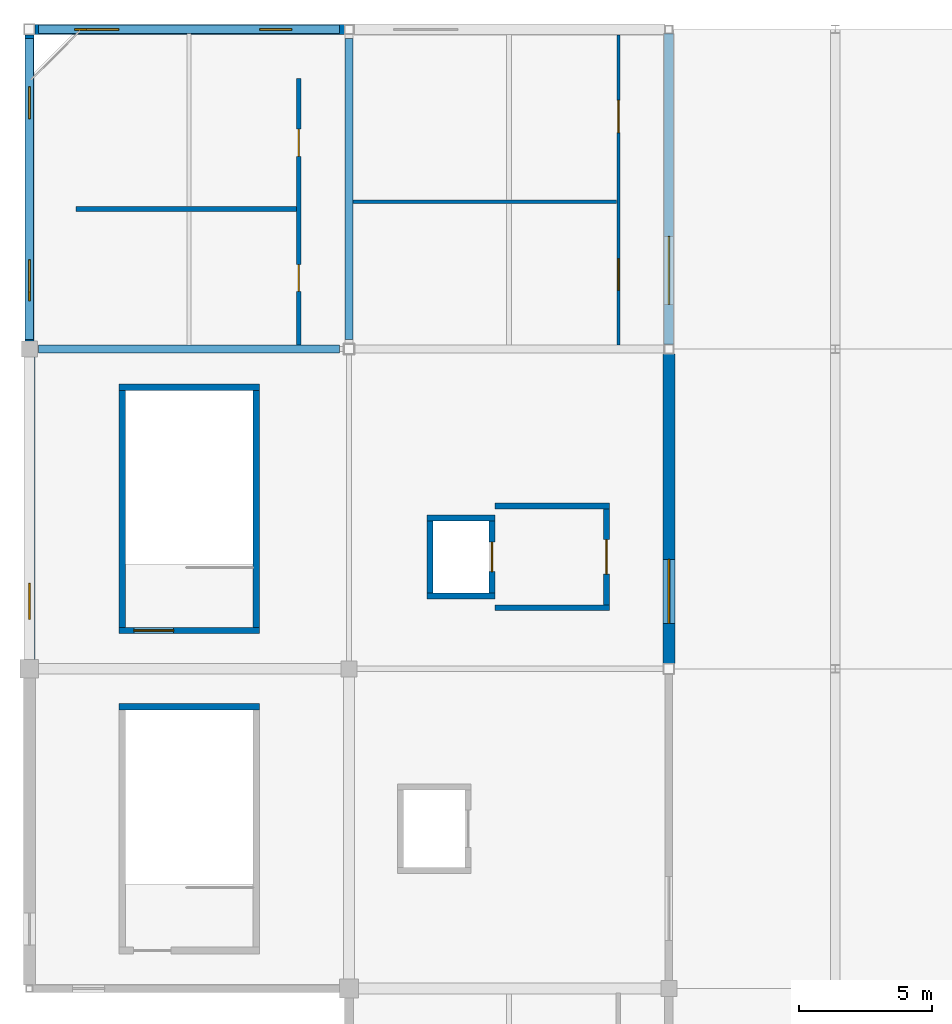
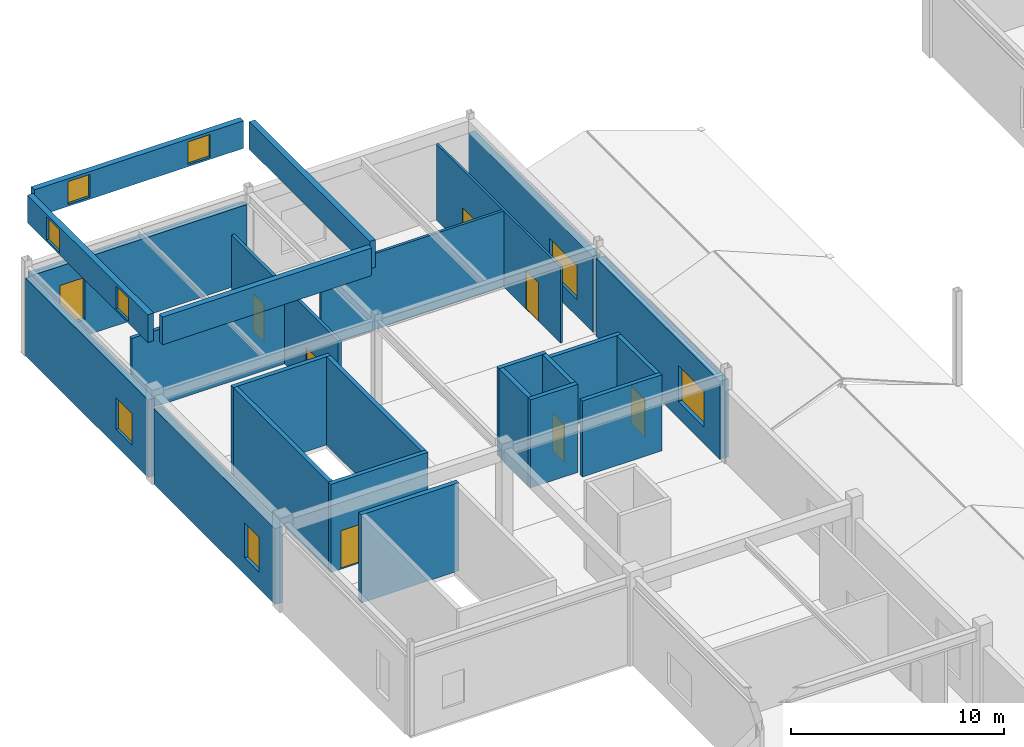
# One storey, part 68 of 76: 25 walls, 9 windows, 7 doors, 16 openings.
"""IFC4 building model written with IfcOpenShell, lengths in metres."""

from ifc_helpers import new_model, si_unit, direction, frame, frame_2d, origin, place, context, subcontext, project, spatial, rectangle, extrude, material, layer, layer_set, type_object, element, fill, save


model = new_model("IFC4")

# Units and contexts
model_context = context("Model", 3, precision=1e-05, world=origin(), true_north=direction((0.0, 1.0)))
body_context = subcontext(model_context, "Body", "Model", "MODEL_VIEW")
ifc_project = project(units=[si_unit("LENGTHUNIT", "METRE"), si_unit("AREAUNIT", "SQUARE_METRE"), si_unit("VOLUMEUNIT", "CUBIC_METRE"), si_unit("PLANEANGLEUNIT", "RADIAN"), si_unit("MASSUNIT", "GRAM", prefix="KILO")], contexts=[model_context])

# Site, building, storey
site_placement = place(None, origin())
site = spatial("IfcSite", under=ifc_project, at=site_placement, CompositionType="ELEMENT")
building_placement = place(site_placement, origin())
building = spatial("IfcBuilding", under=site, at=building_placement, Name="Kazenohara Klinker Stadium", CompositionType="ELEMENT")
storey_placement = place(building_placement, frame((0.0, 0.0, 25.800048828125)))
storey = spatial("IfcBuildingStorey", under=building, at=storey_placement, Name="L05", CompositionType="ELEMENT", Elevation=25.800048828125)

# Wall, opening, door
ifc_material_1 = material(Name="Concrete C40/50", Category="concrete")
ifc_layer_1 = layer(ifc_material_1, 0.22998046875)
ifc_layer_set_1 = layer_set([ifc_layer_1], Name="Concrete C40/50")
wall_type_1 = type_object("IfcWallType", Name="WAL-CORE-230", PredefinedType="SHEAR", material=ifc_layer_set_1)
wall_1_placement = place(storey_placement, frame((3.3701171875, 145.43505859375, 0.0), z_axis=(0.0, 0.0, 1.0), x_axis=(1.0, 0.0, 0.0)))
wall_1 = element("IfcWall", 1, at=wall_1_placement, inside=storey, type_object=wall_type_1, Name="Stairwell shear wall ST06 L05 South", PredefinedType="SHEAR", context=body_context, shape_type="SweptSolid", body=[
    extrude(rectangle(XDim=5.259765625, YDim=0.22998046875, at=frame_2d((2.6298828125, 0.0))), origin(), (0.0, 0.0, 1.0), 5.0400390625),
])
opening_1_placement = place(wall_1_placement, frame((0.550048828125, 0.0, 0.0)))
opening_1 = element("IfcOpeningElement", 2, at=opening_1_placement, cuts=wall_1, Name="Opening SD02", PredefinedType="OPENING", context=body_context, shape_type="SweptSolid", body=[
    extrude(rectangle(XDim=1.5, YDim=2.199951171875, at=frame_2d((0.75, 1.10009765625))), frame((0.0, 0.125, 0.0), z_axis=(0.0, -1.0, 0.0), x_axis=(1.0, 0.0, 0.0)), (0.0, 0.0, 1.0), 0.25),
])
ifc_material_2 = material(Name="Flush painted steel fire door leaf", Category="steel")
door_type_1 = type_object("IfcDoorType", Name="DR-STR-1500x2200", OperationType="NOTDEFINED", PredefinedType="DOOR", material=ifc_material_2)
door_1_placement = place(opening_1_placement, origin())
door_1 = element("IfcDoor", 3, at=door_1_placement, inside=storey, type_object=door_type_1, Name="Escape stairwell fire door ST06-L05", OperationType="SINGLE_SWING_RIGHT", OverallHeight=2.199951171875, OverallWidth=1.5, PredefinedType="DOOR", context=body_context, shape_type="SweptSolid", body=[
    extrude(rectangle(XDim=1.5, YDim=2.199951171875, at=frame_2d((0.75, 1.10009765625))), frame((0.0, 0.02490234375, 0.0), z_axis=(0.0, -1.0, 0.0), x_axis=(1.0, 0.0, 0.0)), (0.0, 0.0, 1.0), 0.050048828125),
])
fill(opening_1, door_1)

# Walls
wall_2_placement = place(storey_placement, frame((3.3701171875, 154.56494140625, 0.0), z_axis=(0.0, 0.0, 1.0), x_axis=(1.0, 0.0, 0.0)))
element("IfcWall", 4, at=wall_2_placement, inside=storey, type_object=wall_type_1, Name="Stairwell shear wall ST06 L05 North", PredefinedType="SHEAR", context=body_context, shape_type="SweptSolid", body=[
    extrude(rectangle(XDim=5.259765625, YDim=0.22998046875, at=frame_2d((2.6298828125, 0.0))), origin(), (0.0, 0.0, 1.0), 5.0400390625),
])
for number, where, z_axis, x_axis, name in (
    (5, (3.485107421875, 145.550048828125, 0.0), (0.0, 0.0, 1.0), (0.0, 1.0, 0.0), "Stairwell shear wall ST06 L05 West"),
    (6, (8.514892578125, 145.550048828125, 0.0), (0.0, 0.0, 1.0), (0.0, 1.0, 0.0), "Stairwell shear wall ST06 L05 East"),
):
    element("IfcWall", number, at=place(storey_placement, frame(where, z_axis=z_axis, x_axis=x_axis)), inside=storey, type_object=wall_type_1, Name=name, PredefinedType="SHEAR", context=body_context, shape_type="SweptSolid", body=[
        extrude(rectangle(XDim=8.89990234375, YDim=0.22998046875, at=frame_2d((4.449951171875, 0.0))), origin(), (0.0, 0.0, 1.0), 5.0400390625),
    ])
for number, where, z_axis, x_axis, name in (
    (7, (14.919921875, 146.735107421875, 0.0), (0.0, 0.0, 1.0), (1.0, 0.0, 0.0), "Elevator shaft wall LF03 L05 South"),
    (8, (14.919921875, 149.6650390625, 0.0), (0.0, 0.0, 1.0), (1.0, 0.0, 0.0), "Elevator shaft wall LF03 L05 North"),
):
    element("IfcWall", number, at=place(storey_placement, frame(where, z_axis=z_axis, x_axis=x_axis)), inside=storey, type_object=wall_type_1, Name=name, PredefinedType="SHEAR", context=body_context, shape_type="SweptSolid", body=[
        extrude(rectangle(XDim=2.56005859375, YDim=0.22998046875, at=frame_2d((1.280029296875, 0.0))), origin(), (0.0, 0.0, 1.0), 5.0400390625),
    ])
wall_3_placement = place(storey_placement, frame((15.034912109375, 146.85009765625, 0.0), z_axis=(0.0, 0.0, 1.0), x_axis=(0.0, 1.0, 0.0)))
element("IfcWall", 9, at=wall_3_placement, inside=storey, type_object=wall_type_1, Name="Elevator shaft wall LF03 L05 West", PredefinedType="SHEAR", context=body_context, shape_type="SweptSolid", body=[
    extrude(rectangle(XDim=2.699951171875, YDim=0.22998046875, at=frame_2d((1.35009765625, 0.0))), origin(), (0.0, 0.0, 1.0), 5.0400390625),
])

# Wall, opening, door
wall_4_placement = place(storey_placement, frame((17.364990234375, 146.85009765625, 0.0), z_axis=(0.0, 0.0, 1.0), x_axis=(0.0, 1.0, 0.0)))
wall_4 = element("IfcWall", 10, at=wall_4_placement, inside=storey, type_object=wall_type_1, Name="Elevator shaft wall LF03 L05 East", PredefinedType="SHEAR", context=body_context, shape_type="SweptSolid", body=[
    extrude(rectangle(XDim=2.699951171875, YDim=0.22998046875, at=frame_2d((1.35009765625, 0.0))), origin(), (0.0, 0.0, 1.0), 5.0400390625),
])
opening_2_placement = place(wall_4_placement, frame((0.800048828125, 0.0, 0.0)))
opening_2 = element("IfcOpeningElement", 11, at=opening_2_placement, cuts=wall_4, Name="Opening LD01", PredefinedType="OPENING", context=body_context, shape_type="SweptSolid", body=[
    extrude(rectangle(XDim=1.10009765625, YDim=2.14990234375, at=frame_2d((0.550048828125, 1.074951171875))), frame((0.0, 0.125, 0.0), z_axis=(0.0, -1.0, 0.0), x_axis=(1.0, 0.0, 0.0)), (0.0, 0.0, 1.0), 0.25),
])
ifc_material_3 = material(Name="Stainless steel fire-rated sliding landing door", Category="steel")
door_type_2 = type_object("IfcDoorType", Name="DR-LD01-1100x2150", OperationType="NOTDEFINED", PredefinedType="DOOR", material=ifc_material_3)
door_2_placement = place(opening_2_placement, origin())
door_2 = element("IfcDoor", 12, at=door_2_placement, inside=storey, type_object=door_type_2, Name="Elevator sliding landing door LF03-L05", OperationType="DOUBLE_DOOR_SLIDING", OverallHeight=2.14990234375, OverallWidth=1.10009765625, PredefinedType="DOOR", context=body_context, shape_type="SweptSolid", body=[
    extrude(rectangle(XDim=1.10009765625, YDim=2.14990234375, at=frame_2d((0.550048828125, 1.074951171875))), frame((0.0, 0.02490234375, 0.0), z_axis=(0.0, -1.0, 0.0), x_axis=(1.0, 0.0, 0.0)), (0.0, 0.0, 1.0), 0.050048828125),
])
fill(opening_2, door_2)

# Walls
ifc_layer_2 = layer(ifc_material_1, 0.25)
ifc_layer_set_2 = layer_set([ifc_layer_2], Name="Concrete C40/50")
wall_type_2 = type_object("IfcWallType", Name="WAL-CORE-250", PredefinedType="SHEAR", material=ifc_layer_set_2)
wall_5_placement = place(storey_placement, frame((3.360107421875, 142.574951171875, 0.0), z_axis=(0.0, 0.0, 1.0), x_axis=(1.0, 0.0, 0.0)))
element("IfcWall", 13, at=wall_5_placement, inside=storey, type_object=wall_type_2, Name="Stairwell shear wall ST05 L05 North", PredefinedType="SHEAR", context=body_context, shape_type="SweptSolid", body=[
    extrude(rectangle(XDim=5.27978515625, YDim=0.25, at=frame_2d((2.639892578125, 0.0))), origin(), (0.0, 0.0, 1.0), 5.0400390625),
])
ifc_material_4 = material(Name="Clinker brick masonry", Category="masonry")
ifc_layer_3 = layer(ifc_material_4, 0.31005859375)
ifc_layer_set_3 = layer_set([ifc_layer_3], Name="Clinker brick masonry")
wall_type_3 = type_object("IfcWallType", Name="WAL-EXT-CB310", PredefinedType="SOLIDWALL", material=ifc_layer_set_3)
wall_6_placement = place(storey_placement, frame((0.35009765625, 156.0, 7.699951171875), z_axis=(0.0, 0.0, 1.0), x_axis=(1.0, 0.0, 0.0)))
element("IfcWall", 14, at=wall_6_placement, inside=storey, type_object=wall_type_3, Name="Turret crown klinker wall EW05 GT1-NW-S", PredefinedType="SOLIDWALL", context=body_context, shape_type="SweptSolid", body=[
    extrude(rectangle(XDim=11.2998046875, YDim=0.31005859375, at=frame_2d((5.64990234375, 0.0))), origin(), (0.0, 0.0, 1.0), 1.580078125),
])

# Wall, openings, windows
wall_7_placement = place(storey_placement, frame((0.35009765625, 168.0, 7.699951171875), z_axis=(0.0, 0.0, 1.0), x_axis=(1.0, 0.0, 0.0)))
wall_7 = element("IfcWall", 15, at=wall_7_placement, inside=storey, type_object=wall_type_3, Name="Turret crown klinker wall EW05 GT1-NW-N", PredefinedType="SOLIDWALL", context=body_context, shape_type="SweptSolid", body=[
    extrude(rectangle(XDim=11.2998046875, YDim=0.31005859375, at=frame_2d((5.64990234375, 0.0))), origin(), (0.0, 0.0, 1.0), 1.580078125),
])
opening_3_placement = place(wall_7_placement, frame((1.800048828125, 0.0, 0.1201171875)))
opening_3 = element("IfcOpeningElement", 16, at=opening_3_placement, cuts=wall_7, Name="Opening W05", PredefinedType="OPENING", context=body_context, shape_type="SweptSolid", body=[
    extrude(rectangle(XDim=1.199951171875, YDim=1.300048828125, at=frame_2d((0.60009765625, 0.64990234375))), frame((0.0, 0.1650390625, 0.0), z_axis=(0.0, -1.0, 0.0), x_axis=(1.0, 0.0, 0.0)), (0.0, 0.0, 1.0), 0.330078125),
])
opening_4_placement = place(wall_7_placement, frame((8.300048828125, 0.0, 0.1201171875)))
opening_4 = element("IfcOpeningElement", 17, at=opening_4_placement, cuts=wall_7, Name="Opening W05", PredefinedType="OPENING", context=body_context, shape_type="SweptSolid", body=[
    extrude(rectangle(XDim=1.199951171875, YDim=1.300048828125, at=frame_2d((0.60009765625, 0.64990234375))), frame((0.0, 0.1650390625, 0.0), z_axis=(0.0, -1.0, 0.0), x_axis=(1.0, 0.0, 0.0)), (0.0, 0.0, 1.0), 0.330078125),
])
ifc_material_5 = material(Name="Dark bronze aluminium frame and triple glazing", Category="aluminium")
window_type_1 = type_object("IfcWindowType", Name="WIN-AS-05", PartitioningType="SINGLE_PANEL", PredefinedType="WINDOW", material=ifc_material_5)
window_1_placement = place(opening_3_placement, origin())
window_1 = element("IfcWindow", 18, at=window_1_placement, inside=storey, type_object=window_type_1, Name="Marathon Gate lantern slit window W05 N-1", OverallHeight=1.300048828125, OverallWidth=1.199951171875, PartitioningType="SINGLE_PANEL", PredefinedType="WINDOW", context=body_context, shape_type="SweptSolid", body=[
    extrude(rectangle(XDim=1.199951171875, YDim=1.300048828125, at=frame_2d((0.60009765625, 0.64990234375))), frame((0.0, 0.030029296875, 0.0), z_axis=(0.0, -1.0, 0.0), x_axis=(1.0, 0.0, 0.0)), (0.0, 0.0, 1.0), 0.06005859375),
])
fill(opening_3, window_1)
window_2_placement = place(opening_4_placement, origin())
window_2 = element("IfcWindow", 19, at=window_2_placement, inside=storey, type_object=window_type_1, Name="Marathon Gate lantern slit window W05 N-2", OverallHeight=1.300048828125, OverallWidth=1.199951171875, PartitioningType="SINGLE_PANEL", PredefinedType="WINDOW", context=body_context, shape_type="SweptSolid", body=[
    extrude(rectangle(XDim=1.199951171875, YDim=1.300048828125, at=frame_2d((0.60009765625, 0.64990234375))), frame((0.0, 0.030029296875, 0.0), z_axis=(0.0, -1.0, 0.0), x_axis=(1.0, 0.0, 0.0)), (0.0, 0.0, 1.0), 0.06005859375),
])
fill(opening_4, window_2)

wall_8_placement = place(storey_placement, frame((0.0, 156.35009765625, 7.699951171875), z_axis=(0.0, 0.0, 1.0), x_axis=(0.0, 1.0, 0.0)))
wall_8 = element("IfcWall", 20, at=wall_8_placement, inside=storey, type_object=wall_type_3, Name="Turret crown klinker wall EW05 GT1-NW-W", PredefinedType="SOLIDWALL", context=body_context, shape_type="SweptSolid", body=[
    extrude(rectangle(XDim=11.2998046875, YDim=0.31005859375, at=frame_2d((5.64990234375, 0.0))), origin(), (0.0, 0.0, 1.0), 1.580078125),
])
opening_5_placement = place(wall_8_placement, frame((1.800048828125, 0.0, 0.1201171875)))
opening_5 = element("IfcOpeningElement", 21, at=opening_5_placement, cuts=wall_8, Name="Opening W05", PredefinedType="OPENING", context=body_context, shape_type="SweptSolid", body=[
    extrude(rectangle(XDim=1.199951171875, YDim=1.300048828125, at=frame_2d((0.60009765625, 0.64990234375))), frame((0.0, 0.1650390625, 0.0), z_axis=(0.0, -1.0, 0.0), x_axis=(1.0, 0.0, 0.0)), (0.0, 0.0, 1.0), 0.330078125),
])
opening_6_placement = place(wall_8_placement, frame((8.300048828125, 0.0, 0.1201171875)))
opening_6 = element("IfcOpeningElement", 22, at=opening_6_placement, cuts=wall_8, Name="Opening W05", PredefinedType="OPENING", context=body_context, shape_type="SweptSolid", body=[
    extrude(rectangle(XDim=1.199951171875, YDim=1.300048828125, at=frame_2d((0.60009765625, 0.64990234375))), frame((0.0, 0.1650390625, 0.0), z_axis=(0.0, -1.0, 0.0), x_axis=(1.0, 0.0, 0.0)), (0.0, 0.0, 1.0), 0.330078125),
])
window_3_placement = place(opening_5_placement, origin())
window_3 = element("IfcWindow", 23, at=window_3_placement, inside=storey, type_object=window_type_1, Name="Marathon Gate lantern slit window W05 W-1", OverallHeight=1.300048828125, OverallWidth=1.199951171875, PartitioningType="SINGLE_PANEL", PredefinedType="WINDOW", context=body_context, shape_type="SweptSolid", body=[
    extrude(rectangle(XDim=1.199951171875, YDim=1.300048828125, at=frame_2d((0.60009765625, 0.64990234375))), frame((0.0, 0.030029296875, 0.0), z_axis=(0.0, -1.0, 0.0), x_axis=(1.0, 0.0, 0.0)), (0.0, 0.0, 1.0), 0.06005859375),
])
fill(opening_5, window_3)
window_4_placement = place(opening_6_placement, origin())
window_4 = element("IfcWindow", 24, at=window_4_placement, inside=storey, type_object=window_type_1, Name="Marathon Gate lantern slit window W05 W-2", OverallHeight=1.300048828125, OverallWidth=1.199951171875, PartitioningType="SINGLE_PANEL", PredefinedType="WINDOW", context=body_context, shape_type="SweptSolid", body=[
    extrude(rectangle(XDim=1.199951171875, YDim=1.300048828125, at=frame_2d((0.60009765625, 0.64990234375))), frame((0.0, 0.030029296875, 0.0), z_axis=(0.0, -1.0, 0.0), x_axis=(1.0, 0.0, 0.0)), (0.0, 0.0, 1.0), 0.06005859375),
])
fill(opening_6, window_4)

# Wall
wall_9_placement = place(storey_placement, frame((12.0, 156.35009765625, 7.699951171875), z_axis=(0.0, 0.0, 1.0), x_axis=(0.0, 1.0, 0.0)))
element("IfcWall", 25, at=wall_9_placement, inside=storey, type_object=wall_type_3, Name="Turret crown klinker wall EW05 GT1-NW-E", PredefinedType="SOLIDWALL", context=body_context, shape_type="SweptSolid", body=[
    extrude(rectangle(XDim=11.2998046875, YDim=0.31005859375, at=frame_2d((5.64990234375, 0.0))), origin(), (0.0, 0.0, 1.0), 1.580078125),
])

# Wall, opening, window
ifc_layer_4 = layer(ifc_material_4, 0.340087890625)
ifc_layer_set_4 = layer_set([ifc_layer_4], Name="Clinker brick masonry")
wall_type_4 = type_object("IfcWallType", Name="WAL-EXT-CB340", PredefinedType="SOLIDWALL", material=ifc_layer_set_4)
wall_10_placement = place(storey_placement, frame((0.0, 156.303955078125, 0.0), z_axis=(0.0, 0.0, 1.0), x_axis=(0.0, 1.0, 0.0)))
wall_10 = element("IfcWall", 26, at=wall_10_placement, inside=storey, type_object=wall_type_4, Name="Clinker brick cavity wall EW04 L05 Y0-13", PredefinedType="SOLIDWALL", context=body_context, shape_type="SweptSolid", body=[
    extrude(rectangle(XDim=11.491943359375, YDim=0.340087890625, at=frame_2d((5.74609375, 0.0))), origin(), (0.0, 0.0, 1.0), 4.43994140625),
])
opening_7_placement = place(wall_10_placement, frame((1.5, 0.0, 0.949951171875)))
opening_7 = element("IfcOpeningElement", 27, at=opening_7_placement, cuts=wall_10, Name="Opening W09", PredefinedType="OPENING", context=body_context, shape_type="SweptSolid", body=[
    extrude(rectangle(XDim=1.5, YDim=1.800048828125, at=frame_2d((0.75, 0.89990234375))), frame((0.0, 0.18017578125, 0.0), z_axis=(0.0, -1.0, 0.0), x_axis=(1.0, 0.0, 0.0)), (0.0, 0.0, 1.0), 0.360107421875),
])
window_type_2 = type_object("IfcWindowType", Name="WIN-AS-09", PartitioningType="SINGLE_PANEL", PredefinedType="WINDOW", material=ifc_material_5)
window_5_placement = place(opening_7_placement, origin())
window_5 = element("IfcWindow", 28, at=window_5_placement, inside=storey, type_object=window_type_2, Name="Horizontal-mullion ladder window W09 L05 Y0-13", OverallHeight=1.800048828125, OverallWidth=1.5, PartitioningType="SINGLE_PANEL", PredefinedType="WINDOW", context=body_context, shape_type="SweptSolid", body=[
    extrude(rectangle(XDim=1.5, YDim=1.800048828125, at=frame_2d((0.75, 0.89990234375))), frame((0.0, 0.030029296875, 0.0), z_axis=(0.0, -1.0, 0.0), x_axis=(1.0, 0.0, 0.0)), (0.0, 0.0, 1.0), 0.06005859375),
])
fill(opening_7, window_5)

ifc_layer_5 = layer(ifc_material_4, 0.3701171875)
ifc_layer_set_5 = layer_set([ifc_layer_5], Name="Clinker brick masonry")
wall_type_5 = type_object("IfcWallType", Name="WAL-EXT-CB370", PredefinedType="SOLIDWALL", material=ifc_layer_set_5)
wall_11_placement = place(storey_placement, frame((0.2041015625, 168.0, 0.0), z_axis=(0.0, 0.0, 1.0), x_axis=(1.0, 0.0, 0.0)))
wall_11 = element("IfcWall", 29, at=wall_11_placement, inside=storey, type_object=wall_type_5, Name="Clinker brick cavity wall EW03 L05 X0-14", PredefinedType="SOLIDWALL", context=body_context, shape_type="SweptSolid", body=[
    extrude(rectangle(XDim=11.616943359375, YDim=0.3701171875, at=frame_2d((5.80859375, 0.0))), origin(), (0.0, 0.0, 1.0), 4.451904296875),
])
opening_8_placement = place(wall_11_placement, frame((1.5, 0.0, 0.949951171875)))
opening_8 = element("IfcOpeningElement", 30, at=opening_8_placement, cuts=wall_11, Name="Opening W08", PredefinedType="OPENING", context=body_context, shape_type="SweptSolid", body=[
    extrude(rectangle(XDim=1.35009765625, YDim=2.39990234375, at=frame_2d((0.675048828125, 1.199951171875))), frame((0.0, 0.195068359375, 0.0), z_axis=(0.0, -1.0, 0.0), x_axis=(1.0, 0.0, 0.0)), (0.0, 0.0, 1.0), 0.39013671875),
])
window_type_3 = type_object("IfcWindowType", Name="WIN-AS-08", PartitioningType="SINGLE_PANEL", PredefinedType="WINDOW", material=ifc_material_5)
window_6_placement = place(opening_8_placement, origin())
window_6 = element("IfcWindow", 31, at=window_6_placement, inside=storey, type_object=window_type_3, Name="Horizontal-mullion ladder window W08 L05 X0-14", OverallHeight=2.39990234375, OverallWidth=1.35009765625, PartitioningType="SINGLE_PANEL", PredefinedType="WINDOW", context=body_context, shape_type="SweptSolid", body=[
    extrude(rectangle(XDim=1.35009765625, YDim=2.39990234375, at=frame_2d((0.675048828125, 1.199951171875))), frame((0.0, 0.030029296875, 0.0), z_axis=(0.0, -1.0, 0.0), x_axis=(1.0, 0.0, 0.0)), (0.0, 0.0, 1.0), 0.06005859375),
])
fill(opening_8, window_6)

wall_12_placement = place(storey_placement, frame((24.0, 156.178955078125, 0.0), z_axis=(0.0, 0.0, 1.0), x_axis=(0.0, 1.0, 0.0)))
wall_12 = element("IfcWall", 32, at=wall_12_placement, inside=storey, type_object=wall_type_5, Name="Clinker brick cavity wall EW03 L05 Y2-13", PredefinedType="SOLIDWALL", context=body_context, shape_type="SweptSolid", body=[
    extrude(rectangle(XDim=11.6669921875, YDim=0.3701171875, at=frame_2d((5.83349609375, 0.0))), origin(), (0.0, 0.0, 1.0), 4.33984375),
])
opening_9_placement = place(wall_12_placement, frame((1.5, 0.0, 0.949951171875)))
opening_9 = element("IfcOpeningElement", 33, at=opening_9_placement, cuts=wall_12, Name="Opening W26", PredefinedType="OPENING", context=body_context, shape_type="SweptSolid", body=[
    extrude(rectangle(XDim=2.550048828125, YDim=1.949951171875, at=frame_2d((1.27490234375, 0.97509765625))), frame((0.0, 0.195068359375, 0.0), z_axis=(0.0, -1.0, 0.0), x_axis=(1.0, 0.0, 0.0)), (0.0, 0.0, 1.0), 0.39013671875),
])
window_type_4 = type_object("IfcWindowType", Name="WIN-AS-26", PartitioningType="SINGLE_PANEL", PredefinedType="WINDOW", material=ifc_material_5)
window_7_placement = place(opening_9_placement, origin())
window_7 = element("IfcWindow", 34, at=window_7_placement, inside=storey, type_object=window_type_4, Name="Horizontal-mullion ladder window W26 L05 Y2-13", OverallHeight=1.949951171875, OverallWidth=2.550048828125, PartitioningType="SINGLE_PANEL", PredefinedType="WINDOW", context=body_context, shape_type="SweptSolid", body=[
    extrude(rectangle(XDim=2.550048828125, YDim=1.949951171875, at=frame_2d((1.27490234375, 0.97509765625))), frame((0.0, 0.030029296875, 0.0), z_axis=(0.0, -1.0, 0.0), x_axis=(1.0, 0.0, 0.0)), (0.0, 0.0, 1.0), 0.06005859375),
])
fill(opening_9, window_7)

ifc_layer_6 = layer(ifc_material_4, 0.409912109375)
ifc_layer_set_6 = layer_set([ifc_layer_6], Name="Clinker brick masonry")
wall_type_6 = type_object("IfcWallType", Name="WAL-EXT-CB410", PredefinedType="SOLIDWALL", material=ifc_layer_set_6)
wall_13_placement = place(storey_placement, frame((0.0, 144.35400390625, 0.0), z_axis=(0.0, 0.0, 1.0), x_axis=(0.0, 1.0, 0.0)))
wall_13 = element("IfcWall", 35, at=wall_13_placement, inside=storey, type_object=wall_type_6, Name="Clinker brick cavity wall EW02 L05 Y0-12", PredefinedType="SOLIDWALL", context=body_context, shape_type="SweptSolid", body=[
    extrude(rectangle(XDim=11.342041015625, YDim=0.409912109375, at=frame_2d((5.6708984375, 0.0))), origin(), (0.0, 0.0, 1.0), 4.33984375),
])
opening_10_placement = place(wall_13_placement, frame((1.5, 0.0, 0.949951171875)))
opening_10 = element("IfcOpeningElement", 36, at=opening_10_placement, cuts=wall_13, Name="Opening W07", PredefinedType="OPENING", context=body_context, shape_type="SweptSolid", body=[
    extrude(rectangle(XDim=1.35009765625, YDim=2.0, at=frame_2d((0.675048828125, 1.0))), frame((0.0, 0.21484375, 0.0), z_axis=(0.0, -1.0, 0.0), x_axis=(1.0, 0.0, 0.0)), (0.0, 0.0, 1.0), 0.429931640625),
])
window_type_5 = type_object("IfcWindowType", Name="WIN-AS-07", PartitioningType="SINGLE_PANEL", PredefinedType="WINDOW", material=ifc_material_5)
window_8_placement = place(opening_10_placement, origin())
window_8 = element("IfcWindow", 37, at=window_8_placement, inside=storey, type_object=window_type_5, Name="Horizontal-mullion ladder window W07 L05 Y0-12", OverallHeight=2.0, OverallWidth=1.35009765625, PartitioningType="SINGLE_PANEL", PredefinedType="WINDOW", context=body_context, shape_type="SweptSolid", body=[
    extrude(rectangle(XDim=1.35009765625, YDim=2.0, at=frame_2d((0.675048828125, 1.0))), frame((0.0, 0.030029296875, 0.0), z_axis=(0.0, -1.0, 0.0), x_axis=(1.0, 0.0, 0.0)), (0.0, 0.0, 1.0), 0.06005859375),
])
fill(opening_10, window_8)

ifc_layer_7 = layer(ifc_material_4, 0.449951171875)
ifc_layer_set_7 = layer_set([ifc_layer_7], Name="Clinker brick masonry")
wall_type_7 = type_object("IfcWallType", Name="WAL-EXT-CB450", PredefinedType="SOLIDWALL", material=ifc_layer_set_7)
wall_14_placement = place(storey_placement, frame((24.0, 144.2041015625, 0.0), z_axis=(0.0, 0.0, 1.0), x_axis=(0.0, 1.0, 0.0)))
wall_14 = element("IfcWall", 38, at=wall_14_placement, inside=storey, type_object=wall_type_7, Name="Clinker brick cavity wall EW01 L05 Y2-12", PredefinedType="SOLIDWALL", context=body_context, shape_type="SweptSolid", body=[
    extrude(rectangle(XDim=11.616943359375, YDim=0.449951171875, at=frame_2d((5.80859375, 0.0))), origin(), (0.0, 0.0, 1.0), 4.451904296875),
])
opening_11_placement = place(wall_14_placement, frame((1.5, 0.0, 0.949951171875)))
opening_11 = element("IfcOpeningElement", 39, at=opening_11_placement, cuts=wall_14, Name="Opening W24", PredefinedType="OPENING", context=body_context, shape_type="SweptSolid", body=[
    extrude(rectangle(XDim=2.39990234375, YDim=2.050048828125, at=frame_2d((1.199951171875, 1.02490234375))), frame((0.0, 0.23486328125, 0.0), z_axis=(0.0, -1.0, 0.0), x_axis=(1.0, 0.0, 0.0)), (0.0, 0.0, 1.0), 0.469970703125),
])
window_type_6 = type_object("IfcWindowType", Name="WIN-AS-24", PartitioningType="SINGLE_PANEL", PredefinedType="WINDOW", material=ifc_material_5)
window_9_placement = place(opening_11_placement, origin())
window_9 = element("IfcWindow", 40, at=window_9_placement, inside=storey, type_object=window_type_6, Name="Horizontal-mullion ladder window W24 L05 Y2-12", OverallHeight=2.050048828125, OverallWidth=2.39990234375, PartitioningType="SINGLE_PANEL", PredefinedType="WINDOW", context=body_context, shape_type="SweptSolid", body=[
    extrude(rectangle(XDim=2.39990234375, YDim=2.050048828125, at=frame_2d((1.199951171875, 1.02490234375))), frame((0.0, 0.030029296875, 0.0), z_axis=(0.0, -1.0, 0.0), x_axis=(1.0, 0.0, 0.0)), (0.0, 0.0, 1.0), 0.06005859375),
])
fill(opening_11, window_9)

# Walls
ifc_layer_8 = layer(ifc_material_1, 0.219970703125)
ifc_layer_set_8 = layer_set([ifc_layer_8], Name="Concrete C40/50")
wall_type_8 = type_object("IfcWallType", Name="WAL-INT-FF220", PredefinedType="SOLIDWALL", material=ifc_layer_set_8)
for number, where, z_axis, x_axis, name in (
    (41, (17.47998046875, 146.2900390625, 0.0), (0.0, 0.0, 1.0), (1.0, 0.0, 0.0), "Firefighting lobby wall LF03 L05 South"),
    (42, (17.47998046875, 150.110107421875, 0.0), (0.0, 0.0, 1.0), (1.0, 0.0, 0.0), "Firefighting lobby wall LF03 L05 North"),
):
    element("IfcWall", number, at=place(storey_placement, frame(where, z_axis=z_axis, x_axis=x_axis)), inside=storey, type_object=wall_type_8, Name=name, PredefinedType="SOLIDWALL", context=body_context, shape_type="SweptSolid", body=[
        extrude(rectangle(XDim=4.2900390625, YDim=0.219970703125, at=frame_2d((2.14501953125, 0.0))), origin(), (0.0, 0.0, 1.0), 4.349853515625),
    ])

# Wall, opening, door
wall_15_placement = place(storey_placement, frame((21.659912109375, 146.39990234375, 0.0), z_axis=(0.0, 0.0, 1.0), x_axis=(0.0, 1.0, 0.0)))
wall_15 = element("IfcWall", 43, at=wall_15_placement, inside=storey, type_object=wall_type_8, Name="Firefighting lobby front wall LF03 L05", PredefinedType="SOLIDWALL", context=body_context, shape_type="SweptSolid", body=[
    extrude(rectangle(XDim=3.60009765625, YDim=0.219970703125, at=frame_2d((1.800048828125, 0.0))), origin(), (0.0, 0.0, 1.0), 4.349853515625),
])
opening_12_placement = place(wall_15_placement, frame((1.14990234375, 0.0, 0.0)))
opening_12 = element("IfcOpeningElement", 44, at=opening_12_placement, cuts=wall_15, Name="Opening FD01", PredefinedType="OPENING", context=body_context, shape_type="SweptSolid", body=[
    extrude(rectangle(XDim=1.300048828125, YDim=2.14990234375, at=frame_2d((0.64990234375, 1.074951171875))), frame((0.0, 0.1201171875, 0.0), z_axis=(0.0, -1.0, 0.0), x_axis=(1.0, 0.0, 0.0)), (0.0, 0.0, 1.0), 0.239990234375),
])
ifc_material_6 = material(Name="Smoke-sealed steel fire lobby door", Category="steel")
door_type_3 = type_object("IfcDoorType", Name="DR-FFL-1300x2150", OperationType="NOTDEFINED", PredefinedType="DOOR", material=ifc_material_6)
door_3_placement = place(opening_12_placement, origin())
door_3 = element("IfcDoor", 45, at=door_3_placement, inside=storey, type_object=door_type_3, Name="Firefighting lobby smoke-sealed door LF03-L05", OperationType="SINGLE_SWING_LEFT", OverallHeight=2.14990234375, OverallWidth=1.300048828125, PredefinedType="DOOR", context=body_context, shape_type="SweptSolid", body=[
    extrude(rectangle(XDim=1.300048828125, YDim=2.14990234375, at=frame_2d((0.64990234375, 1.074951171875))), frame((0.0, 0.02490234375, 0.0), z_axis=(0.0, -1.0, 0.0), x_axis=(1.0, 0.0, 0.0)), (0.0, 0.0, 1.0), 0.050048828125),
])
fill(opening_12, door_3)

# Wall, openings, doors
ifc_material_7 = material(Name="Fire-rated gypsum board on acoustic studs", Category="gypsum")
ifc_layer_9 = layer(ifc_material_7, 0.1201171875)
ifc_layer_set_9 = layer_set([ifc_layer_9], Name="Fire-rated gypsum board on acoustic studs")
wall_type_9 = type_object("IfcWallType", Name="WAL-INT-P120", PredefinedType="PARTITIONING", material=ifc_layer_set_9)
wall_16_placement = place(storey_placement, frame((22.110107421875, 156.159912109375, 0.0), z_axis=(0.0, 0.0, 1.0), x_axis=(0.0, 1.0, 0.0)))
wall_16 = element("IfcWall", 46, at=wall_16_placement, inside=storey, type_object=wall_type_9, Name="Interior partition wall PT02 SPC-L05-01-13-1-1", PredefinedType="PARTITIONING", context=body_context, shape_type="SweptSolid", body=[
    extrude(rectangle(XDim=11.633056640625, YDim=0.1201171875, at=frame_2d((5.81640625, 0.0))), origin(), (0.0, 0.0, 1.0), 4.349853515625),
])
opening_13_placement = place(wall_16_placement, frame((2.056396484375, 0.0, 0.0)))
opening_13 = element("IfcOpeningElement", 47, at=opening_13_placement, cuts=wall_16, Name="Opening ID11", PredefinedType="OPENING", context=body_context, shape_type="SweptSolid", body=[
    extrude(rectangle(XDim=1.179931640625, YDim=2.199951171875, at=frame_2d((0.58984375, 1.10009765625))), frame((0.0, 0.070068359375, 0.0), z_axis=(0.0, -1.0, 0.0), x_axis=(1.0, 0.0, 0.0)), (0.0, 0.0, 1.0), 0.14013671875),
])
opening_14_placement = place(wall_16_placement, frame((7.96142578125, 0.0, 0.0)))
opening_14 = element("IfcOpeningElement", 48, at=opening_14_placement, cuts=wall_16, Name="Opening ID12", PredefinedType="OPENING", context=body_context, shape_type="SweptSolid", body=[
    extrude(rectangle(XDim=1.2099609375, YDim=2.179931640625, at=frame_2d((0.60498046875, 1.08984375))), frame((0.0, 0.070068359375, 0.0), z_axis=(0.0, -1.0, 0.0), x_axis=(1.0, 0.0, 0.0)), (0.0, 0.0, 1.0), 0.14013671875),
])
ifc_material_8 = material(Name="Solid-core Hokkaido oak fire door", Category="wood")
door_type_4 = type_object("IfcDoorType", Name="DR-INT-11", OperationType="NOTDEFINED", PredefinedType="DOOR", material=ifc_material_8)
door_4_placement = place(opening_13_placement, origin())
door_4 = element("IfcDoor", 49, at=door_4_placement, inside=storey, type_object=door_type_4, Name="Interior door ID11 World-Feed Radio Commentary Cabin L05-0113A", OperationType="SINGLE_SWING_RIGHT", OverallHeight=2.199951171875, OverallWidth=1.179931640625, PredefinedType="DOOR", context=body_context, shape_type="SweptSolid", body=[
    extrude(rectangle(XDim=1.179931640625, YDim=2.199951171875, at=frame_2d((0.58984375, 1.10009765625))), frame((0.0, 0.02490234375, 0.0), z_axis=(0.0, -1.0, 0.0), x_axis=(1.0, 0.0, 0.0)), (0.0, 0.0, 1.0), 0.050048828125),
])
fill(opening_13, door_4)
door_type_5 = type_object("IfcDoorType", Name="DR-INT-12", OperationType="NOTDEFINED", PredefinedType="DOOR", material=ifc_material_8)
door_5_placement = place(opening_14_placement, origin())
door_5 = element("IfcDoor", 50, at=door_5_placement, inside=storey, type_object=door_type_5, Name="Interior door ID12 Post-Match Press Conference Theatre L05-0113B", OperationType="SINGLE_SWING_LEFT", OverallHeight=2.179931640625, OverallWidth=1.2099609375, PredefinedType="DOOR", context=body_context, shape_type="SweptSolid", body=[
    extrude(rectangle(XDim=1.2099609375, YDim=2.179931640625, at=frame_2d((0.60498046875, 1.08984375))), frame((0.0, 0.02490234375, 0.0), z_axis=(0.0, -1.0, 0.0), x_axis=(1.0, 0.0, 0.0)), (0.0, 0.0, 1.0), 0.050048828125),
])
fill(opening_14, door_5)

# Wall
ifc_layer_10 = layer(ifc_material_7, 0.139892578125)
ifc_layer_set_10 = layer_set([ifc_layer_10], Name="Fire-rated gypsum board on acoustic studs")
wall_type_10 = type_object("IfcWallType", Name="WAL-INT-P140", PredefinedType="PARTITIONING", material=ifc_layer_set_10)
wall_17_placement = place(storey_placement, frame((12.156982421875, 161.53271484375, 0.0), z_axis=(0.0, 0.0, 1.0), x_axis=(1.0, 0.0, 0.0)))
element("IfcWall", 51, at=wall_17_placement, inside=storey, type_object=wall_type_10, Name="Interior partition wall PT03 SPC-L05-01-13-1-2", PredefinedType="PARTITIONING", context=body_context, shape_type="SweptSolid", body=[
    extrude(rectangle(XDim=9.887939453125, YDim=0.139892578125, at=frame_2d((4.94384765625, 0.0))), origin(), (0.0, 0.0, 1.0), 4.349853515625),
])

# Wall, openings, doors
ifc_layer_11 = layer(ifc_material_7, 0.169921875)
ifc_layer_set_11 = layer_set([ifc_layer_11], Name="Fire-rated gypsum board on acoustic studs")
wall_type_11 = type_object("IfcWallType", Name="WAL-INT-P170", PredefinedType="PARTITIONING", material=ifc_layer_set_11)
wall_18_placement = place(storey_placement, frame((10.110107421875, 156.156982421875, 0.0), z_axis=(0.0, 0.0, 1.0), x_axis=(0.0, 1.0, 0.0)))
wall_18 = element("IfcWall", 52, at=wall_18_placement, inside=storey, type_object=wall_type_11, Name="Interior partition wall PT05 SPC-L05-00-13-1-1", PredefinedType="PARTITIONING", context=body_context, shape_type="SweptSolid", body=[
    extrude(rectangle(XDim=9.992919921875, YDim=0.169921875, at=frame_2d((4.99658203125, 0.0))), origin(), (0.0, 0.0, 1.0), 4.349853515625),
])
opening_15_placement = place(wall_18_placement, frame((2.010498046875, 0.0, 0.0)))
opening_15 = element("IfcOpeningElement", 53, at=opening_15_placement, cuts=wall_18, Name="Opening ID05", PredefinedType="OPENING", context=body_context, shape_type="SweptSolid", body=[
    extrude(rectangle(XDim=1.0, YDim=2.139892578125, at=frame_2d((0.5, 1.06982421875))), frame((0.0, 0.094970703125, 0.0), z_axis=(0.0, -1.0, 0.0), x_axis=(1.0, 0.0, 0.0)), (0.0, 0.0, 1.0), 0.18994140625),
])
opening_16_placement = place(wall_18_placement, frame((7.070556640625, 0.0, 0.0)))
opening_16 = element("IfcOpeningElement", 54, at=opening_16_placement, cuts=wall_18, Name="Opening ID06", PredefinedType="OPENING", context=body_context, shape_type="SweptSolid", body=[
    extrude(rectangle(XDim=1.030029296875, YDim=2.1201171875, at=frame_2d((0.51513671875, 1.06005859375))), frame((0.0, 0.094970703125, 0.0), z_axis=(0.0, -1.0, 0.0), x_axis=(1.0, 0.0, 0.0)), (0.0, 0.0, 1.0), 0.18994140625),
])
door_type_6 = type_object("IfcDoorType", Name="DR-INT-05", OperationType="NOTDEFINED", PredefinedType="DOOR", material=ifc_material_8)
door_6_placement = place(opening_15_placement, origin())
door_6 = element("IfcDoor", 55, at=door_6_placement, inside=storey, type_object=door_type_6, Name="Interior door ID05 Photographer Fibre Uplink Media Studio L05-0013A", OperationType="SINGLE_SWING_RIGHT", OverallHeight=2.139892578125, OverallWidth=1.0, PredefinedType="DOOR", context=body_context, shape_type="SweptSolid", body=[
    extrude(rectangle(XDim=1.0, YDim=2.139892578125, at=frame_2d((0.5, 1.06982421875))), frame((0.0, 0.02490234375, 0.0), z_axis=(0.0, -1.0, 0.0), x_axis=(1.0, 0.0, 0.0)), (0.0, 0.0, 1.0), 0.050048828125),
])
fill(opening_15, door_6)
door_type_7 = type_object("IfcDoorType", Name="DR-INT-06", OperationType="NOTDEFINED", PredefinedType="DOOR", material=ifc_material_8)
door_7_placement = place(opening_16_placement, origin())
door_7 = element("IfcDoor", 56, at=door_7_placement, inside=storey, type_object=door_type_7, Name="Interior door ID06 World-Feed Radio Commentary Cabin L05-0013B", OperationType="SINGLE_SWING_LEFT", OverallHeight=2.1201171875, OverallWidth=1.030029296875, PredefinedType="DOOR", context=body_context, shape_type="SweptSolid", body=[
    extrude(rectangle(XDim=1.030029296875, YDim=2.1201171875, at=frame_2d((0.51513671875, 1.06005859375))), frame((0.0, 0.02490234375, 0.0), z_axis=(0.0, -1.0, 0.0), x_axis=(1.0, 0.0, 0.0)), (0.0, 0.0, 1.0), 0.050048828125),
])
fill(opening_16, door_7)

# Wall
ifc_layer_12 = layer(ifc_material_7, 0.18994140625)
ifc_layer_set_12 = layer_set([ifc_layer_12], Name="Fire-rated gypsum board on acoustic studs")
wall_type_12 = type_object("IfcWallType", Name="WAL-INT-P190", PredefinedType="PARTITIONING", material=ifc_layer_set_12)
wall_19_placement = place(storey_placement, frame((1.75, 161.2548828125, 0.0), z_axis=(0.0, 0.0, 1.0), x_axis=(1.0, 0.0, 0.0)))
element("IfcWall", 57, at=wall_19_placement, inside=storey, type_object=wall_type_12, Name="Interior partition wall PT06 SPC-L05-00-13-1-2", PredefinedType="PARTITIONING", context=body_context, shape_type="SweptSolid", body=[
    extrude(rectangle(XDim=8.27001953125, YDim=0.18994140625, at=frame_2d((4.135009765625, 0.0))), origin(), (0.0, 0.0, 1.0), 4.349853515625),
])

save(model, "model.ifc")
